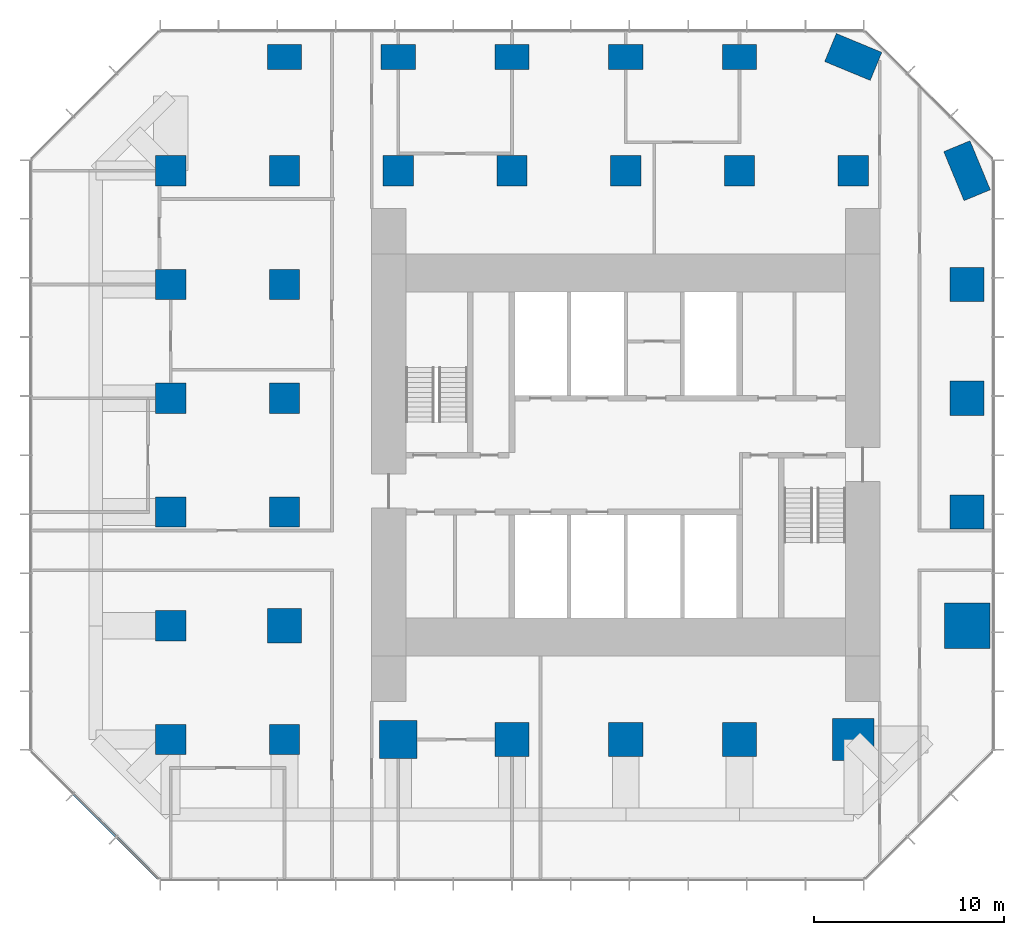
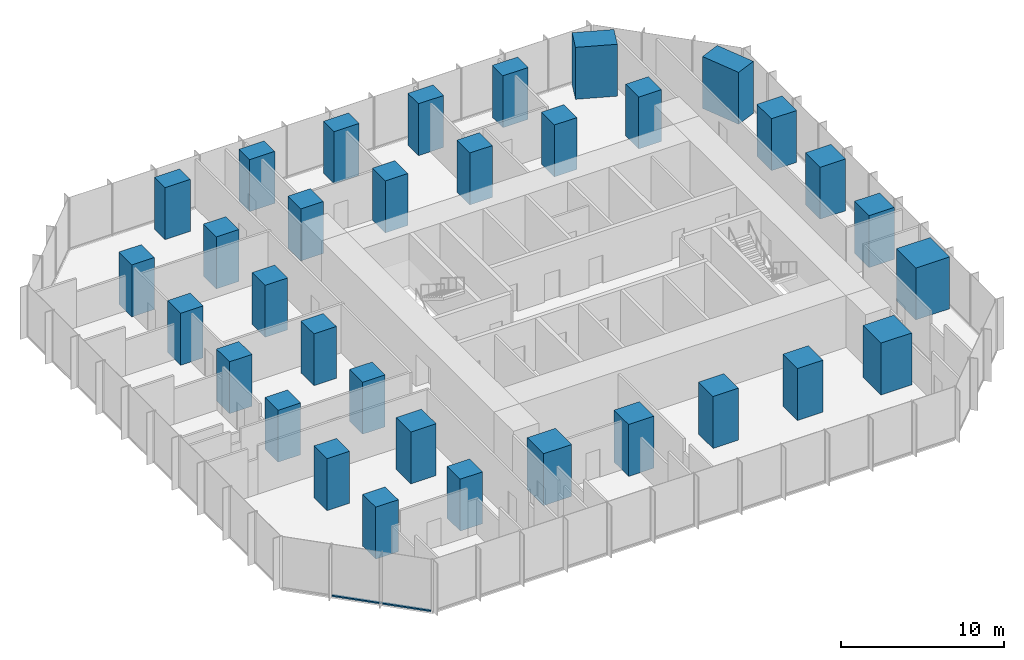
# One storey, part 1 of 11: 33 columns, 2 members, 1 element without a shape of its own.
"""IFC4 building model written with IfcOpenShell, lengths in metres."""

import ifcopenshell
import ifcopenshell.guid

model = None  # the IFC model being written
_history = None  # IfcOwnerHistory: only IFC2X3 demands one
_inside = {}  # id of a spatial element -> (the spatial element, [elements in it])
_under = {}  # id of a project, library or spatial element -> (it, [spatial elements below it])
_declared = {}  # id of a project -> (the project, [libraries it declares])
_typed = {}  # id of a type object -> (the type object, [elements of that type])
_made_of = {}  # id of a material, layer set ... -> (it, [elements and type objects made of it])


def new_model(schema):
    """Start an empty IFC model of exactly this schema.

    Asked for "IFC4X3", IfcOpenShell would pick the latest addendum, in which some entities
    have other attributes; the version numbers below select the first issue.
    IFC2X3 requires an IfcOwnerHistory on every rooted entity: one is made here for all.
    """
    global model, _history
    if schema == "IFC4X3":
        model = ifcopenshell.file(schema_version=(4, 3, 0, 0))
    else:
        model = ifcopenshell.file(schema=schema)
    _inside.clear()
    _under.clear()
    _declared.clear()
    _typed.clear()
    _made_of.clear()
    _history = None
    if model.schema == "IFC2X3":
        org = make("IfcOrganization", Name="unknown")
        user = make(
            "IfcPersonAndOrganization",
            ThePerson=make("IfcPerson", FamilyName="unknown"),
            TheOrganization=org,
        )
        app = make(
            "IfcApplication",
            ApplicationDeveloper=org,
            Version="unknown",
            ApplicationFullName="unknown",
            ApplicationIdentifier="unknown",
        )
        _history = make(
            "IfcOwnerHistory",
            OwningUser=user,
            OwningApplication=app,
            ChangeAction="ADDED",
            CreationDate=0,
        )
    return model


def make(cls, **values):
    """One entity of the class cls with the attributes given. An attribute that is None is left unset."""
    return model.create_entity(
        cls, **{name: value for name, value in values.items() if value is not None}
    )


def rooted(cls, **values):
    """An entity with a GlobalId (a new one), such as an element, a storey or a relation."""
    return make(cls, GlobalId=ifcopenshell.guid.new(), OwnerHistory=_history, **values)


def si_unit(unit_type, name, prefix=None):
    """IfcSIUnit, for example si_unit("LENGTHUNIT", "METRE", prefix="MILLI")."""
    return make("IfcSIUnit", UnitType=unit_type, Prefix=prefix, Name=name)


def assignment(units):
    """IfcUnitAssignment: the units of a project."""
    return None if units is None else make("IfcUnitAssignment", Units=units)


def point(xyz):
    """IfcCartesianPoint."""
    return None if xyz is None else make("IfcCartesianPoint", Coordinates=xyz)


def direction(xyz):
    """IfcDirection."""
    return None if xyz is None else make("IfcDirection", DirectionRatios=xyz)


def frame(location, z_axis=None, x_axis=None):
    """IfcAxis2Placement3D, a coordinate frame: its origin and axes. An axis left out is left unset."""
    return make(
        "IfcAxis2Placement3D",
        Location=point(location),
        Axis=direction(z_axis),
        RefDirection=direction(x_axis),
    )


def frame_2d(location, x_axis=None):
    """IfcAxis2Placement2D, a coordinate frame in the plane: its origin and x axis."""
    return make(
        "IfcAxis2Placement2D", Location=point(location), RefDirection=direction(x_axis)
    )


def origin():
    """The frame at (0, 0, 0) with its axes left unset."""
    return frame((0.0, 0.0, 0.0))


def origin_2d():
    """The frame at (0, 0) in the plane with its x axis left unset."""
    return frame_2d((0.0, 0.0))


def place(relative_to, where):
    """IfcLocalPlacement: puts the frame where relative to a parent placement (None: the world)."""
    return make(
        "IfcLocalPlacement", PlacementRelTo=relative_to, RelativePlacement=where
    )


def context(
    kind, dimensions, precision=None, world=None, true_north=None, identifier=None
):
    """IfcGeometricRepresentationContext, for example the 3D "Model" context."""
    return make(
        "IfcGeometricRepresentationContext",
        ContextIdentifier=identifier,
        ContextType=kind,
        CoordinateSpaceDimension=dimensions,
        Precision=precision,
        WorldCoordinateSystem=world,
        TrueNorth=true_north,
    )


def subcontext(parent, identifier, kind, view, scale=None):
    """IfcGeometricRepresentationSubContext, for example "Body" below "Model"."""
    return make(
        "IfcGeometricRepresentationSubContext",
        ContextIdentifier=identifier,
        ContextType=kind,
        ParentContext=parent,
        TargetScale=scale,
        TargetView=view,
    )


def project(units=None, contexts=None):
    """IfcProject with its units and contexts."""
    return rooted(
        "IfcProject",
        Name="project",
        RepresentationContexts=contexts,
        UnitsInContext=assignment(units),
    )


def spatial(cls, under=None, at=None, **own):
    """A site, building, storey or space (cls), placed at a placement, below another one or the project."""
    s = rooted(cls, ObjectPlacement=at, **own)
    if under is not None:
        _under.setdefault(under.id(), (under, []))[1].append(s)
    return s


def profile(cls, at=None, kind="AREA", **sizes):
    """A parametric profile (cls). Its sizes go by their IFC names, for example OverallWidth=200.0."""
    return make(cls, ProfileType=kind, Position=at, **sizes)


def rectangle(**sizes):
    """IfcRectangleProfileDef."""
    return profile("IfcRectangleProfileDef", **sizes)


def extrude(swept, where, along, depth):
    """IfcExtrudedAreaSolid: the profile swept, set in the frame where, extruded along a direction by depth."""
    return make(
        "IfcExtrudedAreaSolid",
        SweptArea=swept,
        Position=where,
        ExtrudedDirection=direction(along),
        Depth=depth,
    )


def shape(context_of_items, identifier, shape_type, items):
    """IfcShapeRepresentation: the items that make up one representation, for example the "Body"."""
    return make(
        "IfcShapeRepresentation",
        ContextOfItems=context_of_items,
        RepresentationIdentifier=identifier,
        RepresentationType=shape_type,
        Items=items,
    )


def material(Name=None, Category=None):
    """IfcMaterial."""
    return make("IfcMaterial", Name=Name, Category=Category)


def layer(
    of_material, thickness, ventilated=None, Name=None, Category=None, Priority=None
):
    """IfcMaterialLayer: one layer of a wall or slab, of a material (None: an air gap)."""
    return make(
        "IfcMaterialLayer",
        Material=of_material,
        LayerThickness=thickness,
        IsVentilated=ventilated,
        Name=Name,
        Category=Category,
        Priority=Priority,
    )


def layer_set(layers, Name=None):
    """IfcMaterialLayerSet."""
    return make("IfcMaterialLayerSet", MaterialLayers=layers, LayerSetName=Name)


def material_profile(
    of_material, cross_section, Name=None, Category=None, Priority=None
):
    """IfcMaterialProfile: a cross section and its material."""
    return make(
        "IfcMaterialProfile",
        Name=Name,
        Material=of_material,
        Profile=cross_section,
        Priority=Priority,
        Category=Category,
    )


def profile_set(profiles, Name=None, composite=None):
    """IfcMaterialProfileSet."""
    return make(
        "IfcMaterialProfileSet",
        Name=Name,
        MaterialProfiles=profiles,
        CompositeProfile=composite,
    )


def made_of(thing, what):
    """Note that an element or type object is made of a material, layer set ...; save() writes the relation."""
    if what is not None:
        _made_of.setdefault(what.id(), (what, []))[1].append(thing)
    return thing


def type_object(cls, material=None, **own):
    """A type object (cls), such as IfcWallType, which elements share."""
    return made_of(rooted(cls, **own), material)


def element(
    cls,
    number,
    at=None,
    inside=None,
    cuts=None,
    type_object=None,
    material=None,
    context=None,
    identifier="Body",
    shape_type=None,
    held_by="IfcProductDefinitionShape",
    body=None,
    shapes=None,
    **own,
):
    """One element of the class cls, such as IfcWall. Its Tag is "e" and its number.

    at: its placement. inside: the storey or other place that contains it. cuts: it is an
    opening in that element (IfcRelVoidsElement). A single representation is given by context,
    identifier, shape_type and body (its items); several are given by shapes. held_by: the class
    of the entity that holds the representations. save() writes the other relations.
    """
    e = rooted(cls, Tag="e%d" % number, ObjectPlacement=at, **own)
    if body is not None:
        shapes = [shape(context, identifier, shape_type, body)]
    if shapes is not None:
        e.Representation = make(held_by, Representations=shapes)
    if inside is not None:
        _inside.setdefault(inside.id(), (inside, []))[1].append(e)
    if cuts is not None:
        rooted(
            "IfcRelVoidsElement", RelatingBuildingElement=cuts, RelatedOpeningElement=e
        )
    if type_object is not None:
        _typed.setdefault(type_object.id(), (type_object, []))[1].append(e)
    return made_of(e, material)


def aggregate(whole, parts):
    """IfcRelAggregates: a whole, such as a stair, and the parts it consists of."""
    return rooted("IfcRelAggregates", RelatingObject=whole, RelatedObjects=parts)


def save(model, path):
    """Write the relations noted so far, then the file.

    IfcRelAggregates (storeys below a building ...), IfcRelContainedInSpatialStructure (elements
    in a storey), IfcRelDefinesByType, IfcRelAssociatesMaterial and IfcRelDeclares: one each for
    every whole, place, type object, material and project.
    """
    for whole, parts in _under.values():
        aggregate(whole, parts)
    for where, things in _inside.values():
        rooted(
            "IfcRelContainedInSpatialStructure",
            RelatedElements=things,
            RelatingStructure=where,
        )
    for kind, things in _typed.values():
        rooted("IfcRelDefinesByType", RelatedObjects=things, RelatingType=kind)
    for what, things in _made_of.values():
        rooted("IfcRelAssociatesMaterial", RelatedObjects=things, RelatingMaterial=what)
    for by, libraries in _declared.values():
        rooted("IfcRelDeclares", RelatingContext=by, RelatedDefinitions=libraries)
    model.write(path)


model = new_model("IFC4")

# Units and contexts
model_context = context("Model", 3, precision=1e-05, world=origin(), true_north=direction((0.0, 1.0)))
body_context = subcontext(model_context, "Body", "Model", "MODEL_VIEW")
ifc_project = project(units=[si_unit("LENGTHUNIT", "METRE"), si_unit("AREAUNIT", "SQUARE_METRE"), si_unit("VOLUMEUNIT", "CUBIC_METRE"), si_unit("PLANEANGLEUNIT", "RADIAN"), si_unit("MASSUNIT", "GRAM", prefix="KILO")], contexts=[model_context])

# Site, building, storey
site_placement = place(None, origin())
site = spatial("IfcSite", under=ifc_project, at=site_placement, CompositionType="ELEMENT")
building_placement = place(site_placement, origin())
building = spatial("IfcBuilding", under=site, at=building_placement, Name="Highveld Stack Headquarters", CompositionType="ELEMENT")
storey_placement = place(building_placement, frame((0.0, 0.0, 132.800048828125)))
storey = spatial("IfcBuildingStorey", under=building, at=storey_placement, Name="L32", CompositionType="ELEMENT", Elevation=132.800048828125)

# Columns
ifc_material_1 = material(Name="Concrete C60/75", Category="concrete")
ifc_material_profile_1 = material_profile(ifc_material_1, rectangle(XDim=1.60009765625, YDim=1.60009765625, at=origin_2d()), Name="RC 1600x1600")
ifc_profile_set_1 = profile_set([ifc_material_profile_1], Name="Concrete C60/75")
column_type_1 = type_object("IfcColumnType", Name="COLUMN RC 1600x1600 C60/75", PredefinedType="COLUMN", material=ifc_profile_set_1)
for number, where, z_axis, x_axis, name in (
    (1, (-18.0, -12.0, 0.0), (0.0, 0.0, 1.0), (1.0, 0.0, 0.0), "Column 3/C L32"),
    (2, (-18.0, -6.0, 0.0), (0.0, 0.0, 1.0), (1.0, 0.0, 0.0), "Column 3/D L32"),
    (3, (-18.0, 0.0, 0.0), (0.0, 0.0, 1.0), (1.0, 0.0, 0.0), "Column 3/E L32"),
    (4, (-18.0, 6.0, 0.0), (0.0, 0.0, 1.0), (1.0, 0.0, 0.0), "Column 3/F L32"),
    (5, (-18.0, 12.0, 0.0), (0.0, 0.0, 1.0), (1.0, 0.0, 0.0), "Column 3/G L32"),
    (6, (-18.0, 18.0, 0.0), (0.0, 0.0, 1.0), (1.0, 0.0, 0.0), "Column 3/H L32"),
    (7, (-12.0, -12.0, 0.0), (0.0, 0.0, 1.0), (1.0, 0.0, 0.0), "Column 4/C L32"),
    (8, (-12.0, 0.0, 0.0), (0.0, 0.0, 1.0), (1.0, 0.0, 0.0), "Column 4/E L32"),
    (9, (-12.0, 6.0, 0.0), (0.0, 0.0, 1.0), (1.0, 0.0, 0.0), "Column 4/F L32"),
    (10, (-12.0, 12.0, 0.0), (0.0, 0.0, 1.0), (1.0, 0.0, 0.0), "Column 4/G L32"),
    (11, (-12.0, 18.0, 0.0), (0.0, 0.0, 1.0), (1.0, 0.0, 0.0), "Column 4/H L32"),
    (12, (-6.0, 18.0, 0.0), (0.0, 0.0, 1.0), (1.0, 0.0, 0.0), "Column 5/H L32"),
    (13, (0.0, 18.0, 0.0), (0.0, 0.0, 1.0), (1.0, 0.0, 0.0), "Column 6/H L32"),
    (14, (6.0, 18.0, 0.0), (0.0, 0.0, 1.0), (1.0, 0.0, 0.0), "Column 7/H L32"),
    (15, (12.0, 18.0, 0.0), (0.0, 0.0, 1.0), (1.0, 0.0, 0.0), "Column 8/H L32"),
    (16, (18.0, 18.0, 0.0), (0.0, 0.0, 1.0), (1.0, 0.0, 0.0), "Column 9/H L32"),
):
    element("IfcColumn", number, at=place(storey_placement, frame(where, z_axis=z_axis, x_axis=x_axis)), inside=storey, type_object=column_type_1, Name=name, PredefinedType="COLUMN", context=body_context, shape_type="SweptSolid", body=[
        extrude(rectangle(XDim=1.60009765625, YDim=1.60009765625, at=origin_2d()), origin(), (0.0, 0.0, 1.0), 3.89990234375),
    ])
ifc_material_2 = material(Name="Concrete C60/75", Category="concrete")
ifc_material_profile_2 = material_profile(ifc_material_2, rectangle(XDim=1.800048828125, YDim=1.300048828125, at=origin_2d()), Name="RC 1800x1300")
ifc_profile_set_2 = profile_set([ifc_material_profile_2], Name="Concrete C60/75")
column_type_2 = type_object("IfcColumnType", Name="COLUMN RC 1800x1300 C60/75", PredefinedType="COLUMN", material=ifc_profile_set_2)
for number, where, z_axis, x_axis, name in (
    (17, (-12.0, 24.0, 0.0), (0.0, 0.0, 1.0), (1.0, 0.0, 0.0), "Column 4/J L32"),
    (18, (-6.0, 24.0, 0.0), (0.0, 0.0, 1.0), (1.0, 0.0, 0.0), "Column 5/J L32"),
    (19, (0.0, 24.0, 0.0), (0.0, 0.0, 1.0), (1.0, 0.0, 0.0), "Column 6/J L32"),
    (20, (6.0, 24.0, 0.0), (0.0, 0.0, 1.0), (1.0, 0.0, 0.0), "Column 7/J L32"),
    (21, (12.0, 24.0, 0.0), (0.0, 0.0, 1.0), (1.0, 0.0, 0.0), "Column 8/J L32"),
):
    element("IfcColumn", number, at=place(storey_placement, frame(where, z_axis=z_axis, x_axis=x_axis)), inside=storey, type_object=column_type_2, Name=name, PredefinedType="COLUMN", context=body_context, shape_type="SweptSolid", body=[
        extrude(rectangle(XDim=1.800048828125, YDim=1.300048828125, at=origin_2d()), origin(), (0.0, 0.0, 1.0), 3.89990234375),
    ])
ifc_material_3 = material(Name="Concrete C60/75", Category="concrete")
ifc_material_profile_3 = material_profile(ifc_material_3, rectangle(XDim=1.800048828125, YDim=1.800048828125, at=origin_2d()), Name="RC 1800x1800")
ifc_profile_set_3 = profile_set([ifc_material_profile_3], Name="Concrete C60/75")
column_type_3 = type_object("IfcColumnType", Name="COLUMN RC 1800x1800 C60/75", PredefinedType="COLUMN", material=ifc_profile_set_3)
for number, where, z_axis, x_axis, name in (
    (22, (-12.0, -6.0, 0.0), (0.0, 0.0, 1.0), (1.0, 0.0, 0.0), "Column 4/D L32"),
    (23, (0.0, -12.0, 0.0), (0.0, 0.0, 1.0), (1.0, 0.0, 0.0), "Column 6/C L32"),
    (24, (6.0, -12.0, 0.0), (0.0, 0.0, 1.0), (1.0, 0.0, 0.0), "Column 7/C L32"),
    (25, (12.0, -12.0, 0.0), (0.0, 0.0, 1.0), (1.0, 0.0, 0.0), "Column 8/C L32"),
    (26, (24.0, 0.0, 0.0), (0.0, 0.0, 1.0), (1.0, 0.0, 0.0), "Column 10/E L32"),
    (27, (24.0, 6.0, 0.0), (0.0, 0.0, 1.0), (1.0, 0.0, 0.0), "Column 10/F L32"),
    (28, (24.0, 12.0, 0.0), (0.0, 0.0, 1.0), (1.0, 0.0, 0.0), "Column 10/G L32"),
):
    element("IfcColumn", number, at=place(storey_placement, frame(where, z_axis=z_axis, x_axis=x_axis)), inside=storey, type_object=column_type_3, Name=name, PredefinedType="COLUMN", context=body_context, shape_type="SweptSolid", body=[
        extrude(rectangle(XDim=1.800048828125, YDim=1.800048828125, at=origin_2d()), origin(), (0.0, 0.0, 1.0), 3.89990234375),
    ])
ifc_material_4 = material(Name="Concrete C60/75", Category="concrete")
ifc_material_profile_4 = material_profile(ifc_material_4, rectangle(XDim=2.0, YDim=2.0, at=origin_2d()), Name="RC 2000x2000")
ifc_profile_set_4 = profile_set([ifc_material_profile_4], Name="Concrete C60/75")
column_type_4 = type_object("IfcColumnType", Name="COLUMN RC 2000x2000 C60/75", PredefinedType="COLUMN", material=ifc_profile_set_4)
column_1_placement = place(storey_placement, frame((-6.0, -12.0, 0.0), z_axis=(0.0, 0.0, 1.0), x_axis=(1.0, 0.0, 0.0)))
element("IfcColumn", 29, at=column_1_placement, inside=storey, type_object=column_type_4, Name="Column 5/C L32", PredefinedType="COLUMN", context=body_context, shape_type="SweptSolid", body=[
    extrude(rectangle(XDim=2.0, YDim=2.0, at=origin_2d()), origin(), (0.0, 0.0, 1.0), 3.89990234375),
])
ifc_material_5 = material(Name="Concrete C60/75", Category="concrete")
ifc_material_profile_5 = material_profile(ifc_material_5, rectangle(XDim=2.199951171875, YDim=2.199951171875, at=origin_2d()), Name="RC 2200x2200")
ifc_profile_set_5 = profile_set([ifc_material_profile_5], Name="Concrete C60/75")
column_type_5 = type_object("IfcColumnType", Name="COLUMN RC 2200x2200 C60/75", PredefinedType="COLUMN", material=ifc_profile_set_5)
column_2_placement = place(storey_placement, frame((18.0, -12.0, 0.0), z_axis=(0.0, 0.0, 1.0), x_axis=(1.0, 0.0, 0.0)))
element("IfcColumn", 30, at=column_2_placement, inside=storey, type_object=column_type_5, Name="Column 9/C L32", PredefinedType="COLUMN", context=body_context, shape_type="SweptSolid", body=[
    extrude(rectangle(XDim=2.199951171875, YDim=2.199951171875, at=origin_2d()), origin(), (0.0, 0.0, 1.0), 3.89990234375),
])
ifc_material_6 = material(Name="Concrete C60/75", Category="concrete")
ifc_material_profile_6 = material_profile(ifc_material_6, rectangle(XDim=2.39990234375, YDim=2.39990234375, at=origin_2d()), Name="RC 2400x2400")
ifc_profile_set_6 = profile_set([ifc_material_profile_6], Name="Concrete C60/75")
column_type_6 = type_object("IfcColumnType", Name="COLUMN RC 2400x2400 C60/75", PredefinedType="COLUMN", material=ifc_profile_set_6)
column_3_placement = place(storey_placement, frame((24.0, -6.0, 0.0), z_axis=(0.0, 0.0, 1.0), x_axis=(1.0, 0.0, 0.0)))
element("IfcColumn", 31, at=column_3_placement, inside=storey, type_object=column_type_6, Name="Column 10/D L32", PredefinedType="COLUMN", context=body_context, shape_type="SweptSolid", body=[
    extrude(rectangle(XDim=2.39990234375, YDim=2.39990234375, at=origin_2d()), origin(), (0.0, 0.0, 1.0), 3.89990234375),
])
ifc_material_7 = material(Name="Concrete C60/75", Category="concrete")
ifc_material_profile_7 = material_profile(ifc_material_7, rectangle(XDim=2.60009765625, YDim=1.60009765625, at=origin_2d()), Name="RC 2600x1600")
ifc_profile_set_7 = profile_set([ifc_material_profile_7], Name="Concrete C60/75")
column_type_7 = type_object("IfcColumnType", Name="COLUMN RC 2600x1600 C60/75", PredefinedType="COLUMN", material=ifc_profile_set_7)
column_4_placement = place(storey_placement, frame((18.0, 24.0, 0.0), z_axis=(0.0, 0.0, 1.0), x_axis=(0.923879532511, -0.382683432365, 0.0)))
element("IfcColumn", 32, at=column_4_placement, inside=storey, type_object=column_type_7, Name="Column 9/J L32", PredefinedType="COLUMN", context=body_context, shape_type="SweptSolid", body=[
    extrude(rectangle(XDim=2.60009765625, YDim=1.60009765625, at=origin_2d()), origin(), (0.0, 0.0, 1.0), 3.89990234375),
])
ifc_material_8 = material(Name="Concrete C60/75", Category="concrete")
ifc_material_profile_8 = material_profile(ifc_material_8, rectangle(XDim=2.800048828125, YDim=1.5, at=origin_2d()), Name="RC 2800x1500")
ifc_profile_set_8 = profile_set([ifc_material_profile_8], Name="Concrete C60/75")
column_type_8 = type_object("IfcColumnType", Name="COLUMN RC 2800x1500 C60/75", PredefinedType="COLUMN", material=ifc_profile_set_8)
column_5_placement = place(storey_placement, frame((24.0, 18.0, 0.0), z_axis=(0.0, 0.0, 1.0), x_axis=(0.382683432365, -0.923879532511, 0.0)))
element("IfcColumn", 33, at=column_5_placement, inside=storey, type_object=column_type_8, Name="Column 10/H L32", PredefinedType="COLUMN", context=body_context, shape_type="SweptSolid", body=[
    extrude(rectangle(XDim=2.800048828125, YDim=1.5, at=origin_2d()), origin(), (0.0, 0.0, 1.0), 3.89990234375),
])

# Curtain wall, members
ifc_material_9 = material(Name="Aluminium bronze anodised", Category="aluminium")
ifc_layer = layer(ifc_material_9, 0.199951171875)
ifc_layer_set = layer_set([ifc_layer], Name="Aluminium bronze anodised")
curtain_wall_type = type_object("IfcCurtainWallType", Name="CW2 TOWER CHAMFER UNITISED CURTAIN WALL", PredefinedType="NOTDEFINED", material=ifc_layer_set)
curtain_wall_placement = place(storey_placement, origin())
curtain_wall = element("IfcCurtainWall", 34, at=curtain_wall_placement, inside=storey, type_object=curtain_wall_type, Name="Curtain wall CW2 L32 SW", PredefinedType="NOTDEFINED")
ifc_material_10 = material(Name="Aluminium bronze anodised", Category="aluminium")
ifc_material_profile_9 = material_profile(ifc_material_10, rectangle(XDim=0.14990234375, YDim=0.10009765625, at=origin_2d()), Name="CW2 TRANSOM 150x100")
ifc_profile_set_9 = profile_set([ifc_material_profile_9], Name="Aluminium bronze anodised")
member_type = type_object("IfcMemberType", Name="CW2 STACK TRANSOM 150x100", PredefinedType="USERDEFINED", material=ifc_profile_set_9)
member_1_placement = place(storey_placement, frame((-23.103759765625, -14.876220703125, 0.050048828125), z_axis=(0.707106781187, -0.707106781187, 0.0), x_axis=(0.707106781187, 0.707106781187, 0.0)))
member_1 = element("IfcMember", 35, at=member_1_placement, type_object=member_type, Name="CW2 transom L32 2.1", ObjectType="TRANSOM", PredefinedType="USERDEFINED", context=body_context, shape_type="SweptSolid", body=[
    extrude(rectangle(XDim=0.14990234375, YDim=0.10009765625, at=origin_2d()), origin(), (0.0, 0.0, 1.0), 3.150146484375),
])
member_2_placement = place(storey_placement, frame((-20.830322265625, -17.149658203125, 0.050048828125), z_axis=(0.707106781187, -0.707106781187, 0.0), x_axis=(0.707106781187, 0.707106781187, 0.0)))
member_2 = element("IfcMember", 36, at=member_2_placement, type_object=member_type, Name="CW2 transom L32 3.1", ObjectType="TRANSOM", PredefinedType="USERDEFINED", context=body_context, shape_type="SweptSolid", body=[
    extrude(rectangle(XDim=0.14990234375, YDim=0.10009765625, at=origin_2d()), origin(), (0.0, 0.0, 1.0), 3.08251953125),
])
aggregate(curtain_wall, [member_1, member_2])

save(model, "model.ifc")
